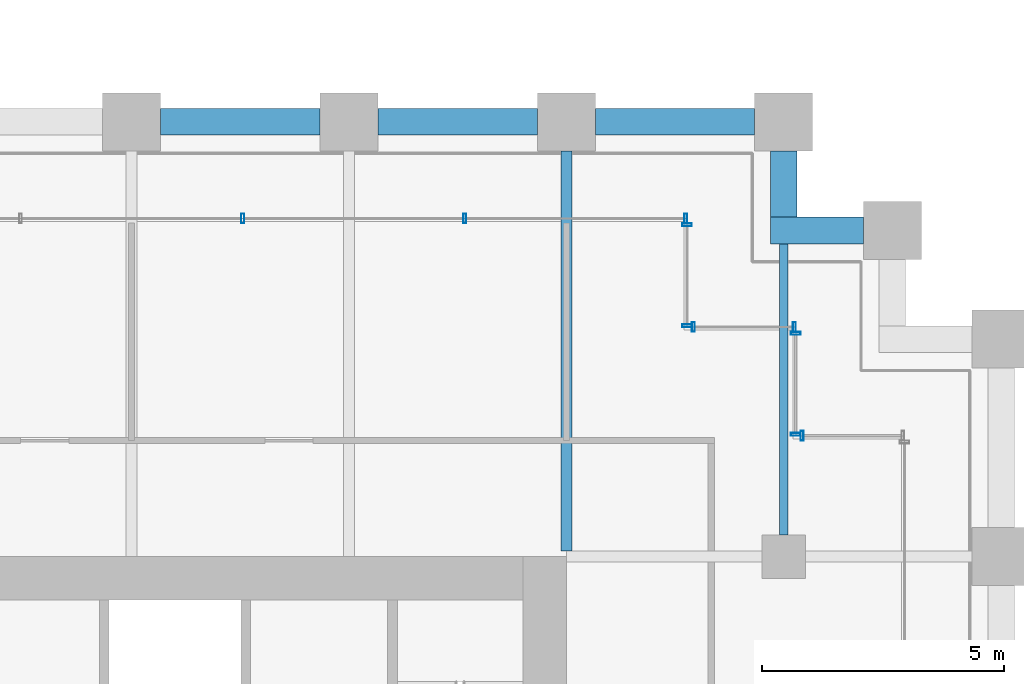
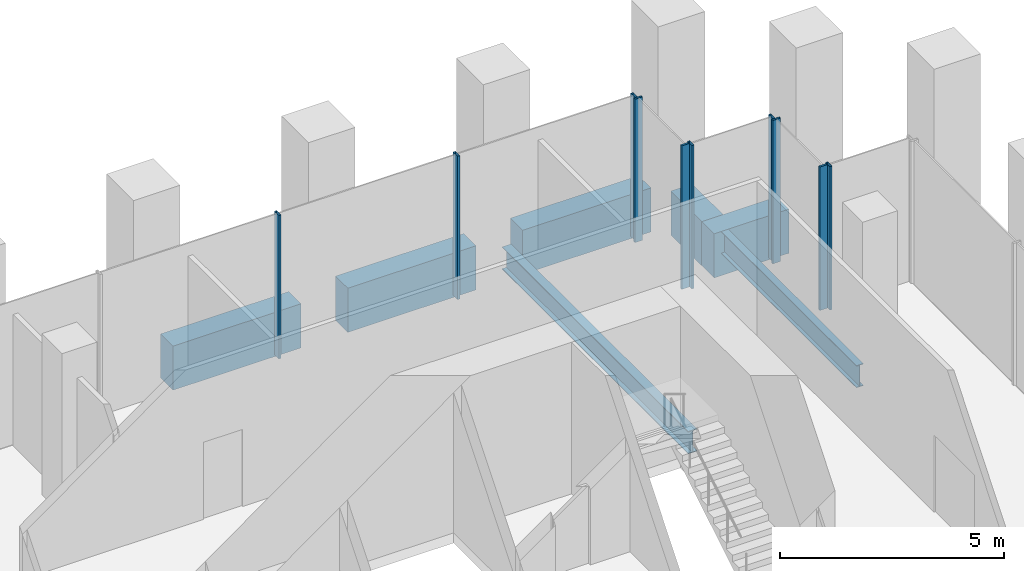
# One storey, part 25 of 36: 10 members, 7 beams, 5 elements without a shape of their own.
"""IFC4 building model written with IfcOpenShell, lengths in metres."""

import ifcopenshell
import ifcopenshell.guid

model = None  # the IFC model being written
_history = None  # IfcOwnerHistory: only IFC2X3 demands one
_inside = {}  # id of a spatial element -> (the spatial element, [elements in it])
_under = {}  # id of a project, library or spatial element -> (it, [spatial elements below it])
_declared = {}  # id of a project -> (the project, [libraries it declares])
_typed = {}  # id of a type object -> (the type object, [elements of that type])
_made_of = {}  # id of a material, layer set ... -> (it, [elements and type objects made of it])


def new_model(schema):
    """Start an empty IFC model of exactly this schema.

    Asked for "IFC4X3", IfcOpenShell would pick the latest addendum, in which some entities
    have other attributes; the version numbers below select the first issue.
    IFC2X3 requires an IfcOwnerHistory on every rooted entity: one is made here for all.
    """
    global model, _history
    if schema == "IFC4X3":
        model = ifcopenshell.file(schema_version=(4, 3, 0, 0))
    else:
        model = ifcopenshell.file(schema=schema)
    _inside.clear()
    _under.clear()
    _declared.clear()
    _typed.clear()
    _made_of.clear()
    _history = None
    if model.schema == "IFC2X3":
        org = make("IfcOrganization", Name="unknown")
        user = make(
            "IfcPersonAndOrganization",
            ThePerson=make("IfcPerson", FamilyName="unknown"),
            TheOrganization=org,
        )
        app = make(
            "IfcApplication",
            ApplicationDeveloper=org,
            Version="unknown",
            ApplicationFullName="unknown",
            ApplicationIdentifier="unknown",
        )
        _history = make(
            "IfcOwnerHistory",
            OwningUser=user,
            OwningApplication=app,
            ChangeAction="ADDED",
            CreationDate=0,
        )
    return model


def make(cls, **values):
    """One entity of the class cls with the attributes given. An attribute that is None is left unset."""
    return model.create_entity(
        cls, **{name: value for name, value in values.items() if value is not None}
    )


def rooted(cls, **values):
    """An entity with a GlobalId (a new one), such as an element, a storey or a relation."""
    return make(cls, GlobalId=ifcopenshell.guid.new(), OwnerHistory=_history, **values)


def si_unit(unit_type, name, prefix=None):
    """IfcSIUnit, for example si_unit("LENGTHUNIT", "METRE", prefix="MILLI")."""
    return make("IfcSIUnit", UnitType=unit_type, Prefix=prefix, Name=name)


def assignment(units):
    """IfcUnitAssignment: the units of a project."""
    return None if units is None else make("IfcUnitAssignment", Units=units)


def point(xyz):
    """IfcCartesianPoint."""
    return None if xyz is None else make("IfcCartesianPoint", Coordinates=xyz)


def direction(xyz):
    """IfcDirection."""
    return None if xyz is None else make("IfcDirection", DirectionRatios=xyz)


def frame(location, z_axis=None, x_axis=None):
    """IfcAxis2Placement3D, a coordinate frame: its origin and axes. An axis left out is left unset."""
    return make(
        "IfcAxis2Placement3D",
        Location=point(location),
        Axis=direction(z_axis),
        RefDirection=direction(x_axis),
    )


def frame_2d(location, x_axis=None):
    """IfcAxis2Placement2D, a coordinate frame in the plane: its origin and x axis."""
    return make(
        "IfcAxis2Placement2D", Location=point(location), RefDirection=direction(x_axis)
    )


def origin():
    """The frame at (0, 0, 0) with its axes left unset."""
    return frame((0.0, 0.0, 0.0))


def origin_2d():
    """The frame at (0, 0) in the plane with its x axis left unset."""
    return frame_2d((0.0, 0.0))


def place(relative_to, where):
    """IfcLocalPlacement: puts the frame where relative to a parent placement (None: the world)."""
    return make(
        "IfcLocalPlacement", PlacementRelTo=relative_to, RelativePlacement=where
    )


def context(
    kind, dimensions, precision=None, world=None, true_north=None, identifier=None
):
    """IfcGeometricRepresentationContext, for example the 3D "Model" context."""
    return make(
        "IfcGeometricRepresentationContext",
        ContextIdentifier=identifier,
        ContextType=kind,
        CoordinateSpaceDimension=dimensions,
        Precision=precision,
        WorldCoordinateSystem=world,
        TrueNorth=true_north,
    )


def subcontext(parent, identifier, kind, view, scale=None):
    """IfcGeometricRepresentationSubContext, for example "Body" below "Model"."""
    return make(
        "IfcGeometricRepresentationSubContext",
        ContextIdentifier=identifier,
        ContextType=kind,
        ParentContext=parent,
        TargetScale=scale,
        TargetView=view,
    )


def project(units=None, contexts=None):
    """IfcProject with its units and contexts."""
    return rooted(
        "IfcProject",
        Name="project",
        RepresentationContexts=contexts,
        UnitsInContext=assignment(units),
    )


def spatial(cls, under=None, at=None, **own):
    """A site, building, storey or space (cls), placed at a placement, below another one or the project."""
    s = rooted(cls, ObjectPlacement=at, **own)
    if under is not None:
        _under.setdefault(under.id(), (under, []))[1].append(s)
    return s


def profile(cls, at=None, kind="AREA", **sizes):
    """A parametric profile (cls). Its sizes go by their IFC names, for example OverallWidth=200.0."""
    return make(cls, ProfileType=kind, Position=at, **sizes)


def rectangle(**sizes):
    """IfcRectangleProfileDef."""
    return profile("IfcRectangleProfileDef", **sizes)


def hollow_rectangle(**sizes):
    """IfcRectangleHollowProfileDef."""
    return profile("IfcRectangleHollowProfileDef", **sizes)


def i_section(**sizes):
    """IfcIShapeProfileDef."""
    return profile("IfcIShapeProfileDef", **sizes)


def extrude(swept, where, along, depth):
    """IfcExtrudedAreaSolid: the profile swept, set in the frame where, extruded along a direction by depth."""
    return make(
        "IfcExtrudedAreaSolid",
        SweptArea=swept,
        Position=where,
        ExtrudedDirection=direction(along),
        Depth=depth,
    )


def shape(context_of_items, identifier, shape_type, items):
    """IfcShapeRepresentation: the items that make up one representation, for example the "Body"."""
    return make(
        "IfcShapeRepresentation",
        ContextOfItems=context_of_items,
        RepresentationIdentifier=identifier,
        RepresentationType=shape_type,
        Items=items,
    )


def material(Name=None, Category=None):
    """IfcMaterial."""
    return make("IfcMaterial", Name=Name, Category=Category)


def material_profile(
    of_material, cross_section, Name=None, Category=None, Priority=None
):
    """IfcMaterialProfile: a cross section and its material."""
    return make(
        "IfcMaterialProfile",
        Name=Name,
        Material=of_material,
        Profile=cross_section,
        Priority=Priority,
        Category=Category,
    )


def profile_set(profiles, Name=None, composite=None):
    """IfcMaterialProfileSet."""
    return make(
        "IfcMaterialProfileSet",
        Name=Name,
        MaterialProfiles=profiles,
        CompositeProfile=composite,
    )


def made_of(thing, what):
    """Note that an element or type object is made of a material, layer set ...; save() writes the relation."""
    if what is not None:
        _made_of.setdefault(what.id(), (what, []))[1].append(thing)
    return thing


def type_object(cls, material=None, **own):
    """A type object (cls), such as IfcWallType, which elements share."""
    return made_of(rooted(cls, **own), material)


def element(
    cls,
    number,
    at=None,
    inside=None,
    cuts=None,
    type_object=None,
    material=None,
    context=None,
    identifier="Body",
    shape_type=None,
    held_by="IfcProductDefinitionShape",
    body=None,
    shapes=None,
    **own,
):
    """One element of the class cls, such as IfcWall. Its Tag is "e" and its number.

    at: its placement. inside: the storey or other place that contains it. cuts: it is an
    opening in that element (IfcRelVoidsElement). A single representation is given by context,
    identifier, shape_type and body (its items); several are given by shapes. held_by: the class
    of the entity that holds the representations. save() writes the other relations.
    """
    e = rooted(cls, Tag="e%d" % number, ObjectPlacement=at, **own)
    if body is not None:
        shapes = [shape(context, identifier, shape_type, body)]
    if shapes is not None:
        e.Representation = make(held_by, Representations=shapes)
    if inside is not None:
        _inside.setdefault(inside.id(), (inside, []))[1].append(e)
    if cuts is not None:
        rooted(
            "IfcRelVoidsElement", RelatingBuildingElement=cuts, RelatedOpeningElement=e
        )
    if type_object is not None:
        _typed.setdefault(type_object.id(), (type_object, []))[1].append(e)
    return made_of(e, material)


def aggregate(whole, parts):
    """IfcRelAggregates: a whole, such as a stair, and the parts it consists of."""
    return rooted("IfcRelAggregates", RelatingObject=whole, RelatedObjects=parts)


def save(model, path):
    """Write the relations noted so far, then the file.

    IfcRelAggregates (storeys below a building ...), IfcRelContainedInSpatialStructure (elements
    in a storey), IfcRelDefinesByType, IfcRelAssociatesMaterial and IfcRelDeclares: one each for
    every whole, place, type object, material and project.
    """
    for whole, parts in _under.values():
        aggregate(whole, parts)
    for where, things in _inside.values():
        rooted(
            "IfcRelContainedInSpatialStructure",
            RelatedElements=things,
            RelatingStructure=where,
        )
    for kind, things in _typed.values():
        rooted("IfcRelDefinesByType", RelatedObjects=things, RelatingType=kind)
    for what, things in _made_of.values():
        rooted("IfcRelAssociatesMaterial", RelatedObjects=things, RelatingMaterial=what)
    for by, libraries in _declared.values():
        rooted("IfcRelDeclares", RelatingContext=by, RelatedDefinitions=libraries)
    model.write(path)


model = new_model("IFC4")

# Units and contexts
model_context = context("Model", 3, precision=1e-05, world=origin(), true_north=direction((0.0, 1.0)))
body_context = subcontext(model_context, "Body", "Model", "MODEL_VIEW")
ifc_project = project(units=[si_unit("LENGTHUNIT", "METRE"), si_unit("AREAUNIT", "SQUARE_METRE"), si_unit("VOLUMEUNIT", "CUBIC_METRE"), si_unit("PLANEANGLEUNIT", "RADIAN"), si_unit("MASSUNIT", "GRAM", prefix="KILO")], contexts=[model_context])

# Site, building, storey
site_placement = place(None, origin())
site = spatial("IfcSite", under=ifc_project, at=site_placement, CompositionType="ELEMENT")
building_placement = place(site_placement, origin())
building = spatial("IfcBuilding", under=site, at=building_placement, Name="Altepetl Exchange Towers", CompositionType="ELEMENT")
storey_placement = place(building_placement, frame((0.0, 0.0, 25.39990234375)))
storey = spatial("IfcBuildingStorey", under=building, at=storey_placement, Name="L05", CompositionType="ELEMENT", Elevation=25.39990234375)

# Beams
ifc_material_1 = material(Name="Steel S355", Category="steel")
ifc_material_profile_1 = material_profile(ifc_material_1, i_section(OverallWidth=0.178955078125, OverallDepth=0.60302734375, WebThickness=0.010986328125, FlangeThickness=0.014892578125, at=origin_2d()), Name="W24X62")
ifc_profile_set_1 = profile_set([ifc_material_profile_1], Name="Steel S355")
beam_type_1 = type_object("IfcBeamType", Name="Floor beam W24X62", PredefinedType="BEAM", material=ifc_profile_set_1)
beam_1_placement = place(storey_placement, frame((121.5, 49.949951171875, -0.476318359375), z_axis=(0.0, 1.0, 0.0), x_axis=(-1.0, 0.0, 0.0)))
element("IfcBeam", 1, at=beam_1_placement, inside=storey, type_object=beam_type_1, Name="bm:B:L05:003", PredefinedType="BEAM", context=body_context, shape_type="SweptSolid", body=[
    extrude(i_section(OverallWidth=0.178955078125, OverallDepth=0.60302734375, WebThickness=0.010986328125, FlangeThickness=0.014892578125, at=origin_2d()), origin(), (0.0, 0.0, 1.0), 6.025146484375),
])
ifc_material_profile_2 = material_profile(ifc_material_1, i_section(OverallWidth=0.22900390625, OverallDepth=0.612060546875, WebThickness=0.011962890625, FlangeThickness=0.01953125, at=origin_2d()), Name="W24X84")
ifc_profile_set_2 = profile_set([ifc_material_profile_2], Name="Steel S355")
beam_type_2 = type_object("IfcBeamType", Name="Floor beam W24X84", PredefinedType="BEAM", material=ifc_profile_set_2)
beam_2_placement = place(storey_placement, frame((117.0, 49.614013671875, -0.48095703125), z_axis=(0.0, 1.0, 0.0), x_axis=(-1.0, 0.0, 0.0)))
element("IfcBeam", 2, at=beam_2_placement, inside=storey, type_object=beam_type_2, Name="bm:B:L05:002", PredefinedType="BEAM", context=body_context, shape_type="SweptSolid", body=[
    extrude(i_section(OverallWidth=0.22900390625, OverallDepth=0.612060546875, WebThickness=0.011962890625, FlangeThickness=0.01953125, at=origin_2d()), origin(), (0.0, 0.0, 1.0), 8.285888671875),
])

# Curtain wall, member
ifc_material_2 = material(Name="Aluminium 6063-T6 glazing", Category="aluminium")
curtain_wall_type = type_object("IfcCurtainWallType", Name="Trading floor glazing system", PredefinedType="NOTDEFINED", material=ifc_material_2)
curtain_wall_1_placement = place(storey_placement, origin())
curtain_wall_1 = element("IfcCurtainWall", 3, at=curtain_wall_1_placement, inside=storey, type_object=curtain_wall_type, Name="CW2 run", PredefinedType="NOTDEFINED")
ifc_material_3 = material(Name="Aluminium 6063-T6", Category="aluminium")
ifc_material_profile_3 = material_profile(ifc_material_3, hollow_rectangle(XDim=0.06005859375, YDim=0.199951171875, WallThickness=0.0029296875, at=origin_2d()), Name="Mullion 60x200 aluminium")
ifc_profile_set_3 = profile_set([ifc_material_profile_3], Name="Aluminium 6063-T6")
member_type = type_object("IfcMemberType", Name="Mullion 60x200 aluminium", PredefinedType="MULLION", material=ifc_profile_set_3)
member_1_placement = place(storey_placement, frame((121.8798828125, 52.0, 0.0), z_axis=(0.0, 0.0, 1.0), x_axis=(-1.0, 0.0, 0.0)))
member_1 = element("IfcMember", 4, at=member_1_placement, type_object=member_type, Name="MU2 mullion", PredefinedType="MULLION", context=body_context, shape_type="SweptSolid", body=[
    extrude(hollow_rectangle(XDim=0.06005859375, YDim=0.199951171875, WallThickness=0.0029296875, at=origin_2d()), origin(), (0.0, 0.0, 1.0), 3.900146484375),
])
aggregate(curtain_wall_1, [member_1])

# Curtain wall, members
curtain_wall_2_placement = place(storey_placement, origin())
curtain_wall_2 = element("IfcCurtainWall", 5, at=curtain_wall_2_placement, inside=storey, type_object=curtain_wall_type, Name="CW2 run", PredefinedType="NOTDEFINED")
member_2_placement = place(storey_placement, frame((121.75, 52.030029296875, 0.0), z_axis=(0.0, 0.0, 1.0), x_axis=(0.0, 1.0, 0.0)))
member_2 = element("IfcMember", 6, at=member_2_placement, type_object=member_type, Name="MU2 mullion", PredefinedType="MULLION", context=body_context, shape_type="SweptSolid", body=[
    extrude(hollow_rectangle(XDim=0.06005859375, YDim=0.199951171875, WallThickness=0.0029296875, at=origin_2d()), origin(), (0.0, 0.0, 1.0), 3.900146484375),
])
member_3_placement = place(storey_placement, frame((121.75, 54.1201171875, 0.0), z_axis=(0.0, 0.0, 1.0), x_axis=(0.0, 1.0, 0.0)))
member_3 = element("IfcMember", 7, at=member_3_placement, type_object=member_type, Name="MU2 mullion", PredefinedType="MULLION", context=body_context, shape_type="SweptSolid", body=[
    extrude(hollow_rectangle(XDim=0.06005859375, YDim=0.199951171875, WallThickness=0.0029296875, at=origin_2d()), origin(), (0.0, 0.0, 1.0), 3.900146484375),
])
aggregate(curtain_wall_2, [member_2, member_3])

curtain_wall_3_placement = place(storey_placement, origin())
curtain_wall_3 = element("IfcCurtainWall", 8, at=curtain_wall_3_placement, inside=storey, type_object=curtain_wall_type, Name="CW2 run", PredefinedType="NOTDEFINED")
member_4_placement = place(storey_placement, frame((121.719970703125, 54.25, 0.0), z_axis=(0.0, 0.0, 1.0), x_axis=(-1.0, 0.0, 0.0)))
member_4 = element("IfcMember", 9, at=member_4_placement, type_object=member_type, Name="MU2 mullion", PredefinedType="MULLION", context=body_context, shape_type="SweptSolid", body=[
    extrude(hollow_rectangle(XDim=0.06005859375, YDim=0.199951171875, WallThickness=0.0029296875, at=origin_2d()), origin(), (0.0, 0.0, 1.0), 3.900146484375),
])
member_5_placement = place(storey_placement, frame((119.6298828125, 54.25, 0.0), z_axis=(0.0, 0.0, 1.0), x_axis=(-1.0, 0.0, 0.0)))
member_5 = element("IfcMember", 10, at=member_5_placement, type_object=member_type, Name="MU2 mullion", PredefinedType="MULLION", context=body_context, shape_type="SweptSolid", body=[
    extrude(hollow_rectangle(XDim=0.06005859375, YDim=0.199951171875, WallThickness=0.0029296875, at=origin_2d()), origin(), (0.0, 0.0, 1.0), 3.900146484375),
])
aggregate(curtain_wall_3, [member_4, member_5])

curtain_wall_4_placement = place(storey_placement, origin())
curtain_wall_4 = element("IfcCurtainWall", 11, at=curtain_wall_4_placement, inside=storey, type_object=curtain_wall_type, Name="CW2 run", PredefinedType="NOTDEFINED")
member_6_placement = place(storey_placement, frame((119.5, 54.280029296875, 0.0), z_axis=(0.0, 0.0, 1.0), x_axis=(0.0, 1.0, 0.0)))
member_6 = element("IfcMember", 12, at=member_6_placement, type_object=member_type, Name="MU2 mullion", PredefinedType="MULLION", context=body_context, shape_type="SweptSolid", body=[
    extrude(hollow_rectangle(XDim=0.06005859375, YDim=0.199951171875, WallThickness=0.0029296875, at=origin_2d()), origin(), (0.0, 0.0, 1.0), 3.900146484375),
])
member_7_placement = place(storey_placement, frame((119.5, 56.3701171875, 0.0), z_axis=(0.0, 0.0, 1.0), x_axis=(0.0, 1.0, 0.0)))
member_7 = element("IfcMember", 13, at=member_7_placement, type_object=member_type, Name="MU2 mullion", PredefinedType="MULLION", context=body_context, shape_type="SweptSolid", body=[
    extrude(hollow_rectangle(XDim=0.06005859375, YDim=0.199951171875, WallThickness=0.0029296875, at=origin_2d()), origin(), (0.0, 0.0, 1.0), 3.900146484375),
])
aggregate(curtain_wall_4, [member_6, member_7])

curtain_wall_5_placement = place(storey_placement, origin())
curtain_wall_5 = element("IfcCurtainWall", 14, at=curtain_wall_5_placement, inside=storey, type_object=curtain_wall_type, Name="CW2 run", PredefinedType="NOTDEFINED")
member_8_placement = place(storey_placement, frame((119.469970703125, 56.5, 0.0), z_axis=(0.0, 0.0, 1.0), x_axis=(-1.0, 0.0, 0.0)))
member_8 = element("IfcMember", 15, at=member_8_placement, type_object=member_type, Name="MU2 mullion", PredefinedType="MULLION", context=body_context, shape_type="SweptSolid", body=[
    extrude(hollow_rectangle(XDim=0.06005859375, YDim=0.199951171875, WallThickness=0.0029296875, at=origin_2d()), origin(), (0.0, 0.0, 1.0), 3.900146484375),
])
member_9_placement = place(storey_placement, frame((114.89990234375, 56.5, 0.0), z_axis=(0.0, 0.0, 1.0), x_axis=(-1.0, 0.0, 0.0)))
member_9 = element("IfcMember", 16, at=member_9_placement, type_object=member_type, Name="MU2 mullion", PredefinedType="MULLION", context=body_context, shape_type="SweptSolid", body=[
    extrude(hollow_rectangle(XDim=0.06005859375, YDim=0.199951171875, WallThickness=0.0029296875, at=origin_2d()), origin(), (0.0, 0.0, 1.0), 3.900146484375),
])
member_10_placement = place(storey_placement, frame((110.300048828125, 56.5, 0.0), z_axis=(0.0, 0.0, 1.0), x_axis=(-1.0, 0.0, 0.0)))
member_10 = element("IfcMember", 17, at=member_10_placement, type_object=member_type, Name="MU2 mullion", PredefinedType="MULLION", context=body_context, shape_type="SweptSolid", body=[
    extrude(hollow_rectangle(XDim=0.06005859375, YDim=0.199951171875, WallThickness=0.0029296875, at=origin_2d()), origin(), (0.0, 0.0, 1.0), 3.900146484375),
])
aggregate(curtain_wall_5, [member_8, member_9, member_10])

# Beams
ifc_material_4 = material(Name="Concrete C50/60 precast with cantera amarilla facing", Category="concrete")
ifc_material_profile_4 = material_profile(ifc_material_4, rectangle(XDim=0.550048828125, YDim=1.199951171875, at=origin_2d()), Name="550 x 1200")
ifc_profile_set_4 = profile_set([ifc_material_profile_4], Name="Concrete C50/60 precast with cantera amarilla facing")
beam_type_3 = type_object("IfcBeamType", Name="Spandrel beam 550x1200 cantera amarilla", PredefinedType="SPANDREL", material=ifc_profile_set_4)
beam_3_placement = place(storey_placement, frame((123.14990234375, 56.25, -0.77490234375), z_axis=(-1.0, 0.0, 0.0), x_axis=(0.0, -1.0, 0.0)))
element("IfcBeam", 18, at=beam_3_placement, inside=storey, type_object=beam_type_3, Name="sp:B:L05:016", PredefinedType="SPANDREL", context=body_context, shape_type="SweptSolid", body=[
    extrude(rectangle(XDim=0.550048828125, YDim=1.199951171875, at=origin_2d()), origin(), (0.0, 0.0, 1.0), 1.9248046875),
])
beam_4_placement = place(storey_placement, frame((121.5, 56.52490234375, -0.77490234375), z_axis=(0.0, 1.0, 0.0), x_axis=(-1.0, 0.0, 0.0)))
element("IfcBeam", 19, at=beam_4_placement, inside=storey, type_object=beam_type_3, Name="sp:B:L05:017", PredefinedType="SPANDREL", context=body_context, shape_type="SweptSolid", body=[
    extrude(rectangle(XDim=0.550048828125, YDim=1.199951171875, at=origin_2d()), origin(), (0.0, 0.0, 1.0), 1.375),
])
for number, where, z_axis, x_axis, name in (
    (20, (120.89990234375, 58.5, -0.77490234375), (-1.0, 0.0, 0.0), (0.0, -1.0, 0.0), "sp:B:L05:018"),
    (21, (116.39990234375, 58.5, -0.77490234375), (-1.0, 0.0, 0.0), (0.0, -1.0, 0.0), "sp:B:L05:019"),
    (22, (111.89990234375, 58.5, -0.77490234375), (-1.0, 0.0, 0.0), (0.0, -1.0, 0.0), "sp:B:L05:020"),
):
    element("IfcBeam", number, at=place(storey_placement, frame(where, z_axis=z_axis, x_axis=x_axis)), inside=storey, type_object=beam_type_3, Name=name, PredefinedType="SPANDREL", context=body_context, shape_type="SweptSolid", body=[
        extrude(rectangle(XDim=0.550048828125, YDim=1.199951171875, at=origin_2d()), origin(), (0.0, 0.0, 1.0), 3.2998046875),
    ])

save(model, "model.ifc")
